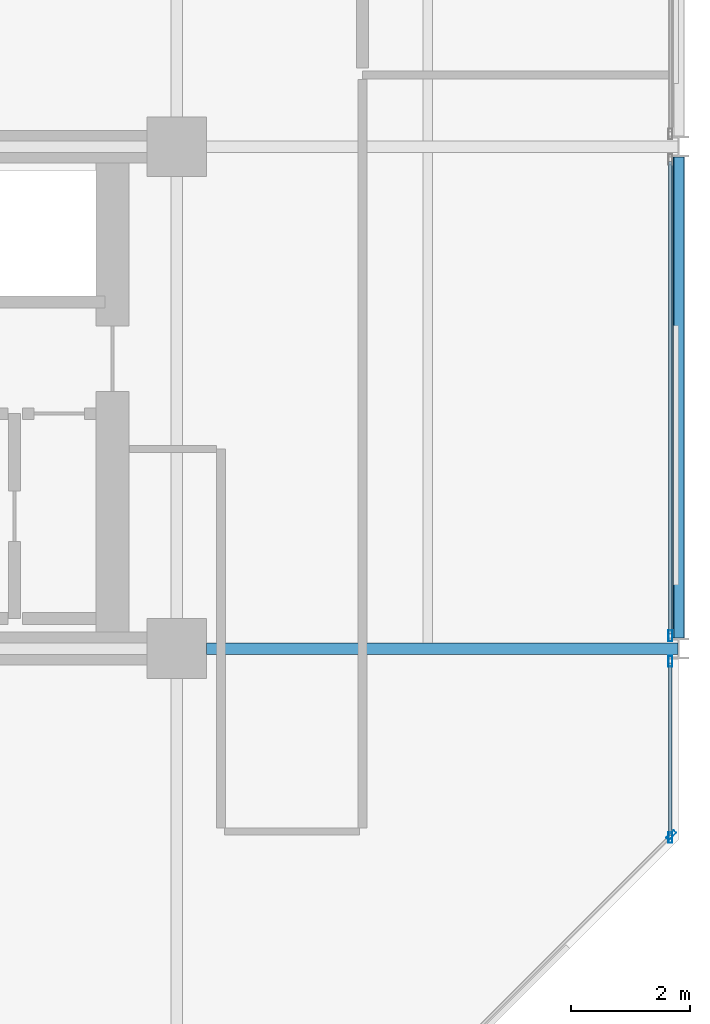
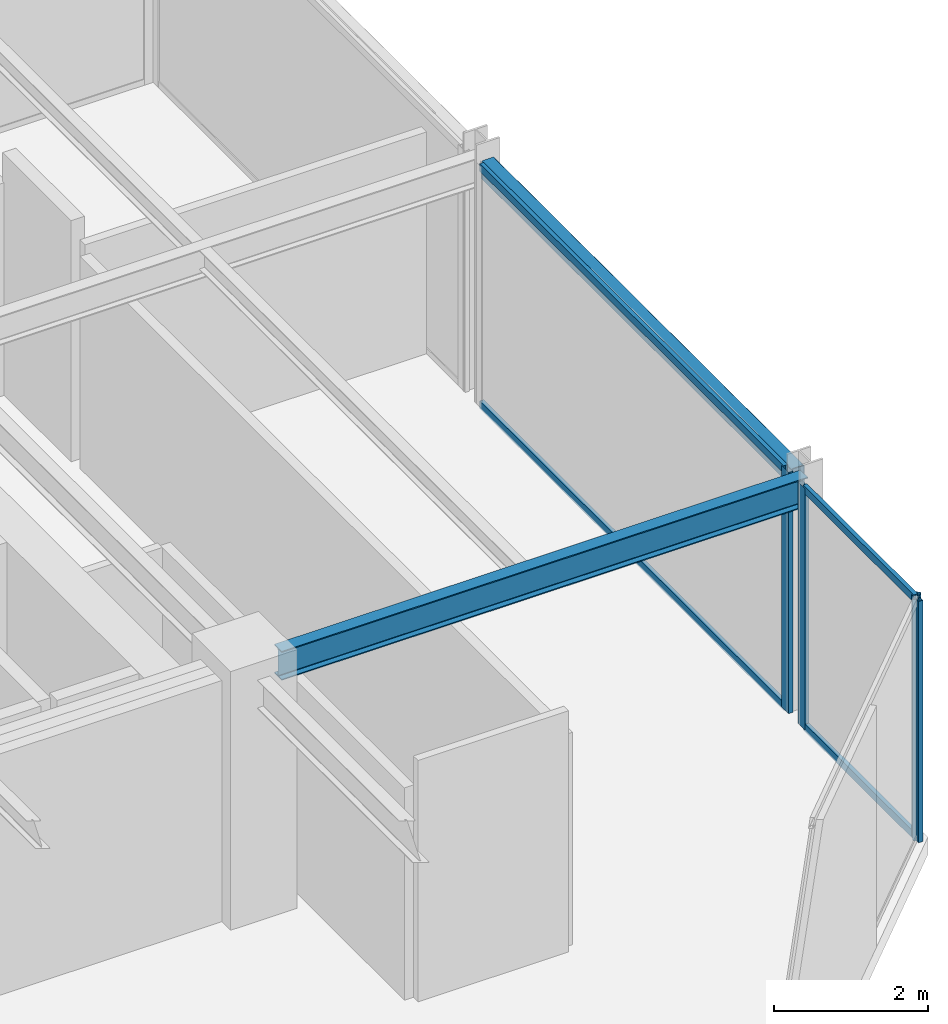
# One storey, part 13 of 29: 8 members, 2 beams, 3 elements without a shape of their own.
"""IFC4 building model written with IfcOpenShell, lengths in metres."""

from ifc_helpers import new_model, si_unit, direction, frame, origin, origin_2d, place, context, subcontext, project, spatial, hollow_rectangle, i_section, extrude, material, layer, layer_set, material_profile, profile_set, type_object, element, aggregate, save


model = new_model("IFC4")

# Units and contexts
model_context = context("Model", 3, precision=1e-05, world=origin(), true_north=direction((0.0, 1.0)))
body_context = subcontext(model_context, "Body", "Model", "MODEL_VIEW")
ifc_project = project(units=[si_unit("LENGTHUNIT", "METRE"), si_unit("AREAUNIT", "SQUARE_METRE"), si_unit("VOLUMEUNIT", "CUBIC_METRE"), si_unit("PLANEANGLEUNIT", "RADIAN"), si_unit("MASSUNIT", "GRAM", prefix="KILO")], contexts=[model_context])

# Site, building, storey
site_placement = place(None, origin())
site = spatial("IfcSite", under=ifc_project, at=site_placement, CompositionType="ELEMENT")
building_placement = place(site_placement, origin())
building = spatial("IfcBuilding", under=site, at=building_placement, Name="Nerrivon Quay Data Exchange", CompositionType="ELEMENT")
storey_placement = place(building_placement, frame((0.0, 0.0, 175.5)))
storey = spatial("IfcBuildingStorey", under=building, at=storey_placement, Name="L41", CompositionType="ELEMENT", Elevation=175.5)

# Beams
ifc_material_1 = material(Name="Steel Grade 350", Category="steel")
ifc_material_profile_1 = material_profile(ifc_material_1, i_section(OverallWidth=0.19091796875, OverallDepth=0.4599609375, WebThickness=0.010009765625, FlangeThickness=0.01611328125, FilletRadius=0.011474609375, at=origin_2d()), Name="460UB82.1")
ifc_profile_set_1 = profile_set([ifc_material_profile_1], Name="Steel Grade 350")
beam_type_1 = type_object("IfcBeamType", Name="BM-G5-460UB82", PredefinedType="BEAM", material=ifc_profile_set_1)
beam_1_placement = place(storey_placement, frame((34.10009765625, 8.39990234375, 3.594970703125), z_axis=(1.0, 0.0, 0.0), x_axis=(0.0, 1.0, 0.0)))
element("IfcBeam", 1, at=beam_1_placement, inside=storey, type_object=beam_type_1, Name="L41 EW Girder Y=8.4 (33.6..42.0)", PredefinedType="BEAM", context=body_context, shape_type="SweptSolid", body=[
    extrude(i_section(OverallWidth=0.19091796875, OverallDepth=0.4599609375, WebThickness=0.010009765625, FlangeThickness=0.01611328125, FilletRadius=0.011474609375, at=origin_2d()), origin(), (0.0, 0.0, 1.0), 7.889892578125),
])
ifc_material_2 = material(Name="Steel Grade C350L0 (350 MPa)", Category="steel")
ifc_material_profile_2 = material_profile(ifc_material_2, hollow_rectangle(XDim=0.199951171875, YDim=0.300048828125, WallThickness=0.012451171875, InnerFilletRadius=0.018798828125, OuterFilletRadius=0.03125, at=origin_2d()), Name="300x200x12.5RHS")
ifc_profile_set_2 = profile_set([ifc_material_profile_2], Name="Steel Grade C350L0 (350 MPa)")
beam_type_2 = type_object("IfcBeamType", Name="BM-SP3-300x200RHS", PredefinedType="SPANDREL", material=ifc_profile_set_2)
beam_2_placement = place(storey_placement, frame((42.0, 8.574951171875, 3.675048828125), z_axis=(0.0, 1.0, 0.0), x_axis=(-1.0, 0.0, 0.0)))
element("IfcBeam", 2, at=beam_2_placement, inside=storey, type_object=beam_type_2, Name="L41 NS Girder X=42.0 (8.4..16.8)", PredefinedType="SPANDREL", context=body_context, shape_type="SweptSolid", body=[
    extrude(hollow_rectangle(XDim=0.199951171875, YDim=0.300048828125, WallThickness=0.012451171875, InnerFilletRadius=0.018798828125, OuterFilletRadius=0.03125, at=origin_2d()), origin(), (0.0, 0.0, 1.0), 8.050048828125),
])

# Curtain wall, member
ifc_material_3 = material(Name="Anodised aluminium 6063-T6", Category="aluminium")
ifc_layer = layer(ifc_material_3, 0.195068359375)
ifc_layer_set = layer_set([ifc_layer], Name="Anodised aluminium 6063-T6")
curtain_wall_type = type_object("IfcCurtainWallType", Name="CW-SYS-06", PredefinedType="NOTDEFINED", material=ifc_layer_set)
curtain_wall_1_placement = place(storey_placement, origin())
curtain_wall_1 = element("IfcCurtainWall", 3, at=curtain_wall_1_placement, inside=storey, type_object=curtain_wall_type, Name="L41 Unitised Curtain Wall 19", PredefinedType="NOTDEFINED")
ifc_material_profile_3 = material_profile(ifc_material_3, hollow_rectangle(XDim=0.06494140625, YDim=0.179931640625, WallThickness=0.00341796875, at=origin_2d()), Name="ALU-MULL-180x65")
ifc_profile_set_3 = profile_set([ifc_material_profile_3], Name="Anodised aluminium 6063-T6")
member_type_1 = type_object("IfcMemberType", Name="CWM-180x65", PredefinedType="MULLION", material=ifc_profile_set_3)
member_1_placement = place(storey_placement, frame((41.860107421875, 8.612548828125, 0.0), z_axis=(0.0, 0.0, 1.0), x_axis=(1.0, 0.0, 0.0)))
member_1 = element("IfcMember", 4, at=member_1_placement, type_object=member_type_1, Name="CW06 mullion 2", PredefinedType="MULLION", context=body_context, shape_type="SweptSolid", body=[
    extrude(hollow_rectangle(XDim=0.06494140625, YDim=0.179931640625, WallThickness=0.00341796875, at=origin_2d()), origin(), (0.0, 0.0, 1.0), 3.824951171875),
])

# Curtain wall, members
curtain_wall_2_placement = place(storey_placement, origin())
curtain_wall_2 = element("IfcCurtainWall", 5, at=curtain_wall_2_placement, inside=storey, type_object=curtain_wall_type, Name="L41 Unitised Curtain Wall 20", PredefinedType="NOTDEFINED")
member_2_placement = place(storey_placement, frame((41.860107421875, 8.1875, 0.0), z_axis=(0.0, 0.0, 1.0), x_axis=(1.0, 0.0, 0.0)))
member_2 = element("IfcMember", 6, at=member_2_placement, type_object=member_type_1, Name="CW06 mullion 1", PredefinedType="MULLION", context=body_context, shape_type="SweptSolid", body=[
    extrude(hollow_rectangle(XDim=0.06494140625, YDim=0.179931640625, WallThickness=0.00341796875, at=origin_2d()), origin(), (0.0, 0.0, 1.0), 3.824951171875),
])
member_3_placement = place(storey_placement, frame((41.860107421875, 5.237548828125, 0.0), z_axis=(0.0, 0.0, 1.0), x_axis=(1.0, 0.0, 0.0)))
member_3 = element("IfcMember", 7, at=member_3_placement, type_object=member_type_1, Name="CW06 mullion 2", PredefinedType="MULLION", context=body_context, shape_type="SweptSolid", body=[
    extrude(hollow_rectangle(XDim=0.06494140625, YDim=0.179931640625, WallThickness=0.00341796875, at=origin_2d()), origin(), (0.0, 0.0, 1.0), 3.824951171875),
])

# Curtain wall, member
curtain_wall_3_placement = place(storey_placement, origin())
curtain_wall_3 = element("IfcCurtainWall", 8, at=curtain_wall_3_placement, inside=storey, type_object=curtain_wall_type, Name="L41 Unitised Curtain Wall 21", PredefinedType="NOTDEFINED")
member_4_placement = place(storey_placement, frame((41.87451171875, 5.2724609375, 0.0), z_axis=(0.0, 0.0, 1.0), x_axis=(0.707106781187, -0.707106781187, 0.0)))
member_4 = element("IfcMember", 9, at=member_4_placement, type_object=member_type_1, Name="CW06 mullion 1", PredefinedType="MULLION", context=body_context, shape_type="SweptSolid", body=[
    extrude(hollow_rectangle(XDim=0.06494140625, YDim=0.179931640625, WallThickness=0.00341796875, at=origin_2d()), origin(), (0.0, 0.0, 1.0), 3.824951171875),
])
aggregate(curtain_wall_3, [member_4])

# Member
ifc_material_profile_4 = material_profile(ifc_material_3, hollow_rectangle(XDim=0.06005859375, YDim=0.1201171875, WallThickness=0.003173828125, at=origin_2d()), Name="ALU-TRAN-120x60")
ifc_profile_set_4 = profile_set([ifc_material_profile_4], Name="Anodised aluminium 6063-T6")
member_type_2 = type_object("IfcMemberType", Name="CWT-120x60", PredefinedType="USERDEFINED", material=ifc_profile_set_4)
member_5_placement = place(storey_placement, frame((41.860107421875, 16.550048828125, 0.032470703125), z_axis=(0.0, -1.0, 0.0), x_axis=(1.0, 0.0, 0.0)))
member_5 = element("IfcMember", 10, at=member_5_placement, type_object=member_type_2, Name="CW06 transom 1.1", ObjectType="TRANSOM", PredefinedType="USERDEFINED", context=body_context, shape_type="SweptSolid", body=[
    extrude(hollow_rectangle(XDim=0.06005859375, YDim=0.1201171875, WallThickness=0.003173828125, at=origin_2d()), origin(), (0.0, 0.0, 1.0), 7.900146484375),
])

member_6_placement = place(storey_placement, frame((41.860107421875, 16.550048828125, 3.79248046875), z_axis=(0.0, -1.0, 0.0), x_axis=(1.0, 0.0, 0.0)))
member_6 = element("IfcMember", 11, at=member_6_placement, type_object=member_type_2, Name="CW06 transom 1.2", ObjectType="TRANSOM", PredefinedType="USERDEFINED", context=body_context, shape_type="SweptSolid", body=[
    extrude(hollow_rectangle(XDim=0.06005859375, YDim=0.1201171875, WallThickness=0.003173828125, at=origin_2d()), origin(), (0.0, 0.0, 1.0), 7.900146484375),
])

aggregate(curtain_wall_1, [member_1, member_5, member_6])

member_7_placement = place(storey_placement, frame((41.860107421875, 8.14990234375, 0.032470703125), z_axis=(0.0, -1.0, 0.0), x_axis=(1.0, 0.0, 0.0)))
member_7 = element("IfcMember", 12, at=member_7_placement, type_object=member_type_2, Name="CW06 transom 1.1", ObjectType="TRANSOM", PredefinedType="USERDEFINED", context=body_context, shape_type="SweptSolid", body=[
    extrude(hollow_rectangle(XDim=0.06005859375, YDim=0.1201171875, WallThickness=0.003173828125, at=origin_2d()), origin(), (0.0, 0.0, 1.0), 2.875),
])

member_8_placement = place(storey_placement, frame((41.860107421875, 8.14990234375, 3.79248046875), z_axis=(0.0, -1.0, 0.0), x_axis=(1.0, 0.0, 0.0)))
member_8 = element("IfcMember", 13, at=member_8_placement, type_object=member_type_2, Name="CW06 transom 1.2", ObjectType="TRANSOM", PredefinedType="USERDEFINED", context=body_context, shape_type="SweptSolid", body=[
    extrude(hollow_rectangle(XDim=0.06005859375, YDim=0.1201171875, WallThickness=0.003173828125, at=origin_2d()), origin(), (0.0, 0.0, 1.0), 2.875),
])

aggregate(curtain_wall_2, [member_2, member_3, member_7, member_8])

save(model, "model.ifc")
